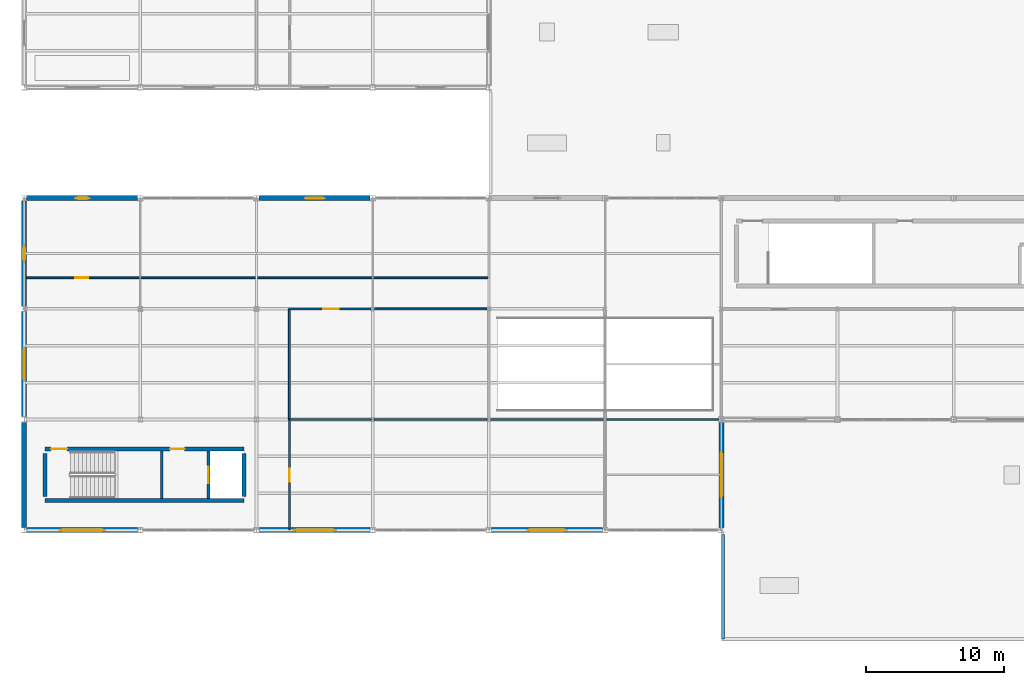
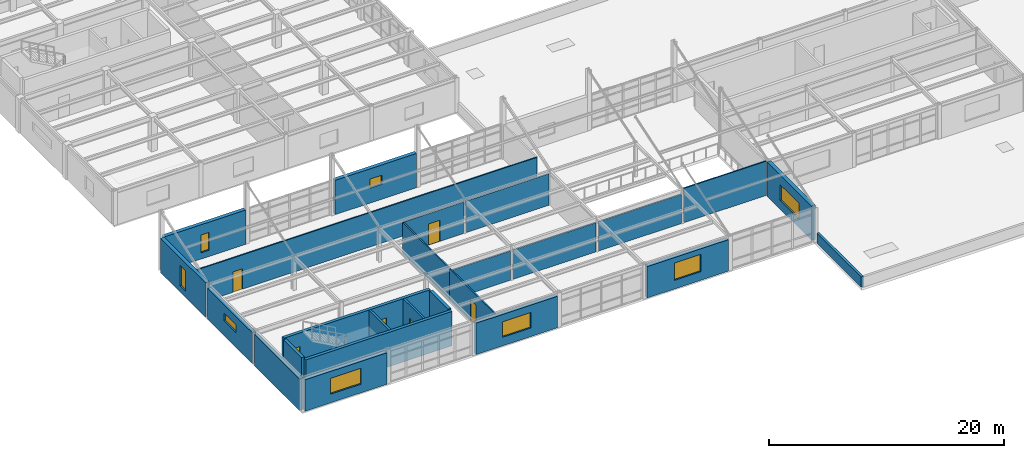
# One storey, part 45 of 96: 25 walls, 8 windows, 6 doors, 14 openings.
"""IFC4 building model written with IfcOpenShell, lengths in metres."""

from ifc_helpers import new_model, si_unit, direction, frame, frame_2d, origin, place, context, subcontext, project, spatial, rectangle, extrude, material, layer, layer_set, type_object, element, fill, save


model = new_model("IFC4")

# Units and contexts
model_context = context("Model", 3, precision=1e-05, world=origin(), true_north=direction((0.0, 1.0)))
body_context = subcontext(model_context, "Body", "Model", "MODEL_VIEW")
ifc_project = project(units=[si_unit("LENGTHUNIT", "METRE"), si_unit("AREAUNIT", "SQUARE_METRE"), si_unit("VOLUMEUNIT", "CUBIC_METRE"), si_unit("PLANEANGLEUNIT", "RADIAN"), si_unit("MASSUNIT", "GRAM", prefix="KILO")], contexts=[model_context])

# Site, building, storey
site_placement = place(None, origin())
site = spatial("IfcSite", under=ifc_project, at=site_placement, CompositionType="ELEMENT")
building_placement = place(site_placement, origin())
building = spatial("IfcBuilding", under=site, at=building_placement, Name="Kranzveld Transit Interchange", CompositionType="ELEMENT")
storey_placement = place(building_placement, frame((0.0, 0.0, 9.52001953125)))
storey = spatial("IfcBuildingStorey", under=building, at=storey_placement, Name="L02", CompositionType="ELEMENT", Elevation=9.52001953125)

# Wall, opening, door
ifc_material_1 = material(Name="Clay masonry unit wall, 20 MPa", Category="masonry")
ifc_layer_1 = layer(ifc_material_1, 0.139892578125)
ifc_layer_set_1 = layer_set([ifc_layer_1], Name="Clay masonry unit wall, 20 MPa")
wall_type_1 = type_object("IfcWallType", Name="Acoustic Stud Partition 140", PredefinedType="PARTITIONING", material=ifc_layer_set_1)
wall_1_placement = place(storey_placement, frame((19.179931640625, 32.0, 0.0), z_axis=(0.0, 0.0, 1.0), x_axis=(1.0, 0.0, 0.0)))
wall_1 = element("IfcWall", 1, at=wall_1_placement, inside=storey, type_object=wall_type_1, Name="L02 Partition IW-L02-L02V3M-N-202-0", PredefinedType="PARTITIONING", context=body_context, shape_type="SweptSolid", body=[
    extrude(rectangle(XDim=5.900634765625, YDim=0.139892578125, at=frame_2d((2.9501953125, 0.0))), origin(), (0.0, 0.0, 1.0), 3.27001953125),
])
opening_1_placement = place(wall_1_placement, frame((2.4501953125, 0.0, 0.0), z_axis=(0.0, 0.0, 1.0), x_axis=(1.0, 0.0, 0.0)))
opening_1 = element("IfcOpeningElement", 2, at=opening_1_placement, cuts=wall_1, Name="Opening D-202", PredefinedType="OPENING", context=body_context, shape_type="SweptSolid", body=[
    extrude(rectangle(XDim=1.10009765625, YDim=2.199951171875, at=frame_2d((0.550048828125, 1.10009765625))), frame((0.0, 0.079833984375, 0.0), z_axis=(0.0, -1.0, 0.0), x_axis=(1.0, 0.0, 0.0)), (0.0, 0.0, 1.0), 0.159912109375),
])
ifc_material_2 = material(Name="Bronze-anodised thermally broken aluminium", Category="aluminium")
door_type_1 = type_object("IfcDoorType", Name="Acoustic Seminar Door 1100x2200", OperationType="NOTDEFINED", PredefinedType="DOOR", material=ifc_material_2)
door_1_placement = place(opening_1_placement, origin())
door_1 = element("IfcDoor", 3, at=door_1_placement, inside=storey, type_object=door_type_1, Name="L02 Interior Door D-202", OperationType="SINGLE_SWING_LEFT", OverallHeight=2.199951171875, OverallWidth=1.10009765625, PredefinedType="DOOR", context=body_context, shape_type="SweptSolid", body=[
    extrude(rectangle(XDim=1.10009765625, YDim=2.199951171875, at=frame_2d((0.550048828125, 1.10009765625))), frame((0.0, 0.02490234375, 0.0), z_axis=(0.0, -1.0, 0.0), x_axis=(1.0, 0.0, 0.0)), (0.0, 0.0, 1.0), 0.050048828125),
])
fill(opening_1, door_1)

# Walls
wall_2_placement = place(storey_placement, frame((25.3193359375, 32.0, 0.0), z_axis=(0.0, 0.0, 1.0), x_axis=(1.0, 0.0, 0.0)))
element("IfcWall", 4, at=wall_2_placement, inside=storey, type_object=wall_type_1, Name="L02 Partition IW-L02-L02V3M-N-202-1", PredefinedType="PARTITIONING", context=body_context, shape_type="SweptSolid", body=[
    extrude(rectangle(XDim=8.161376953125, YDim=0.139892578125, at=frame_2d((4.08056640625, 0.0))), origin(), (0.0, 0.0, 1.0), 3.27001953125),
])
wall_3_placement = place(storey_placement, frame((19.179931640625, 24.0, 0.0), z_axis=(0.0, 0.0, 1.0), x_axis=(1.0, 0.0, 0.0)))
element("IfcWall", 5, at=wall_3_placement, inside=storey, type_object=wall_type_1, Name="L02 Partition IW-L02-L02V3M-S-202-0", PredefinedType="PARTITIONING", context=body_context, shape_type="SweptSolid", body=[
    extrude(rectangle(XDim=5.900634765625, YDim=0.139892578125, at=frame_2d((2.9501953125, 0.0))), origin(), (0.0, 0.0, 1.0), 3.036865234375),
])
wall_4_placement = place(storey_placement, frame((25.3193359375, 24.0, 0.0), z_axis=(0.0, 0.0, 1.0), x_axis=(1.0, 0.0, 0.0)))
element("IfcWall", 6, at=wall_4_placement, inside=storey, type_object=wall_type_1, Name="L02 Partition IW-L02-L02V3M-S-202-1", PredefinedType="PARTITIONING", context=body_context, shape_type="SweptSolid", body=[
    extrude(rectangle(XDim=8.161376953125, YDim=0.139892578125, at=frame_2d((4.08056640625, 0.0))), origin(), (0.0, 0.0, 1.0), 3.036865234375),
])
wall_5_placement = place(storey_placement, frame((19.179931640625, 24.0, 0.0), z_axis=(0.0, 0.0, 1.0), x_axis=(0.0, 1.0, 0.0)))
element("IfcWall", 7, at=wall_5_placement, inside=storey, type_object=wall_type_1, Name="L02 Partition IW-L02-L02V3M-W-202-0", PredefinedType="PARTITIONING", context=body_context, shape_type="SweptSolid", body=[
    extrude(rectangle(XDim=8.0, YDim=0.139892578125, at=frame_2d((4.0, 0.0))), origin(), (0.0, 0.0, 1.0), 3.218505859375),
])
ifc_material_3 = material(Name="Concrete C40/50", Category="concrete")
ifc_layer_2 = layer(ifc_material_3, 0.300048828125)
ifc_layer_set_2 = layer_set([ifc_layer_2], Name="Concrete C40/50")
wall_type_2 = type_object("IfcWallType", Name="Core Shear Wall RC 300 C40/50", PredefinedType="SHEAR", material=ifc_layer_set_2)
wall_6_placement = place(storey_placement, frame((1.5, 18.139892578125, 0.0), z_axis=(0.0, 0.0, 1.0), x_axis=(1.0, 0.0, 0.0)))
element("IfcWall", 8, at=wall_6_placement, inside=storey, type_object=wall_type_2, Name="L02 Cycle Hub Core C7 Shear Wall S", PredefinedType="SHEAR", context=body_context, shape_type="SweptSolid", body=[
    extrude(rectangle(XDim=14.39990234375, YDim=0.300048828125, at=frame_2d((7.199951171875, 0.0))), origin(), (0.0, 0.0, 1.0), 3.570068359375),
])

# Wall, openings, doors
wall_7_placement = place(storey_placement, frame((1.5, 21.860107421875, 0.0), z_axis=(0.0, 0.0, 1.0), x_axis=(1.0, 0.0, 0.0)))
wall_7 = element("IfcWall", 9, at=wall_7_placement, inside=storey, type_object=wall_type_2, Name="L02 Cycle Hub Core C7 Shear Wall N", PredefinedType="SHEAR", context=body_context, shape_type="SweptSolid", body=[
    extrude(rectangle(XDim=14.39990234375, YDim=0.300048828125, at=frame_2d((7.199951171875, 0.0))), origin(), (0.0, 0.0, 1.0), 3.570068359375),
])
opening_2_placement = place(wall_7_placement, frame((0.449951171875, 0.0, 0.0), z_axis=(0.0, 0.0, 1.0), x_axis=(1.0, 0.0, 0.0)))
opening_2 = element("IfcOpeningElement", 10, at=opening_2_placement, cuts=wall_7, Name="Opening D-ST-C7-L02", PredefinedType="OPENING", context=body_context, shape_type="SweptSolid", body=[
    extrude(rectangle(XDim=1.14990234375, YDim=2.14990234375, at=frame_2d((0.574951171875, 1.074951171875))), frame((0.0, 0.159912109375, 0.0), z_axis=(0.0, -1.0, 0.0), x_axis=(1.0, 0.0, 0.0)), (0.0, 0.0, 1.0), 0.320068359375),
])
opening_3_placement = place(wall_7_placement, frame((9.050048828125, 0.0, 0.0), z_axis=(0.0, 0.0, 1.0), x_axis=(1.0, 0.0, 0.0)))
opening_3 = element("IfcOpeningElement", 11, at=opening_3_placement, cuts=wall_7, Name="Opening D-LB-C7-L02", PredefinedType="OPENING", context=body_context, shape_type="SweptSolid", body=[
    extrude(rectangle(XDim=1.050048828125, YDim=2.14990234375, at=frame_2d((0.52490234375, 1.074951171875))), frame((0.0, 0.159912109375, 0.0), z_axis=(0.0, -1.0, 0.0), x_axis=(1.0, 0.0, 0.0)), (0.0, 0.0, 1.0), 0.320068359375),
])
ifc_material_4 = material(Name="Steel S355JR", Category="steel")
door_type_2 = type_object("IfcDoorType", Name="Lift Lobby Fire Door 1050x2150 FD120S", OperationType="NOTDEFINED", PredefinedType="DOOR", material=ifc_material_4)
door_2_placement = place(opening_3_placement, origin())
door_2 = element("IfcDoor", 12, at=door_2_placement, inside=storey, type_object=door_type_2, Name="L02 Cycle Hub Core C7 Lift Protected Lobby Door", OperationType="SINGLE_SWING_RIGHT", OverallHeight=2.14990234375, OverallWidth=1.050048828125, PredefinedType="DOOR", context=body_context, shape_type="SweptSolid", body=[
    extrude(rectangle(XDim=1.050048828125, YDim=2.14990234375, at=frame_2d((0.52490234375, 1.074951171875))), frame((0.0, 0.02490234375, 0.0), z_axis=(0.0, -1.0, 0.0), x_axis=(1.0, 0.0, 0.0)), (0.0, 0.0, 1.0), 0.050048828125),
])
fill(opening_3, door_2)
ifc_material_5 = material(Name="Steel S355JR", Category="steel")
door_type_3 = type_object("IfcDoorType", Name="Stair Core Fire Door 1150x2150 FD120S", OperationType="NOTDEFINED", PredefinedType="DOOR", material=ifc_material_5)
door_3_placement = place(opening_2_placement, origin())
door_3 = element("IfcDoor", 13, at=door_3_placement, inside=storey, type_object=door_type_3, Name="L02 ST-CY1 Protected Stair Door", OperationType="SINGLE_SWING_RIGHT", OverallHeight=2.14990234375, OverallWidth=1.14990234375, PredefinedType="DOOR", context=body_context, shape_type="SweptSolid", body=[
    extrude(rectangle(XDim=1.14990234375, YDim=2.14990234375, at=frame_2d((0.574951171875, 1.074951171875))), frame((0.0, 0.02490234375, 0.0), z_axis=(0.0, -1.0, 0.0), x_axis=(1.0, 0.0, 0.0)), (0.0, 0.0, 1.0), 0.050048828125),
])
fill(opening_2, door_3)

# Walls
for number, where, z_axis, x_axis, name in (
    (14, (1.5, 18.43994140625, 0.0), (0.0, 0.0, 1.0), (0.0, 1.0, 0.0), "L02 Cycle Hub Core C7 Shear Wall W"),
    (15, (15.89990234375, 18.43994140625, 0.0), (0.0, 0.0, 1.0), (0.0, 1.0, 0.0), "L02 Cycle Hub Core C7 Shear Wall E"),
):
    element("IfcWall", number, at=place(storey_placement, frame(where, z_axis=z_axis, x_axis=x_axis)), inside=storey, type_object=wall_type_2, Name=name, PredefinedType="SHEAR", context=body_context, shape_type="SweptSolid", body=[
        extrude(rectangle(XDim=3.1201171875, YDim=0.300048828125, at=frame_2d((1.56005859375, 0.0))), origin(), (0.0, 0.0, 1.0), 3.570068359375),
    ])
ifc_material_6 = material(Name="Pretoria red-purple clinker clay face brick, 35 MPa", Category="masonry")
ifc_layer_3 = layer(ifc_material_6, 0.360107421875)
ifc_layer_set_3 = layer_set([ifc_layer_3], Name="Pretoria red-purple clinker clay face brick, 35 MPa")
wall_type_3 = type_object("IfcWallType", Name="Exterior Cavity Wall Red Clinker 360", PredefinedType="SOLIDWALL", material=ifc_layer_set_3)
wall_8_placement = place(storey_placement, frame((0.0, 16.187255859375, 0.0), z_axis=(0.0, 0.0, 1.0), x_axis=(0.0, 1.0, 0.0)))
element("IfcWall", 16, at=wall_8_placement, inside=storey, type_object=wall_type_3, Name="L02 Clinker Facade Wall 01/C-01/D", PredefinedType="SOLIDWALL", context=body_context, shape_type="SweptSolid", body=[
    extrude(rectangle(XDim=7.62548828125, YDim=0.360107421875, at=frame_2d((3.812744140625, 0.0))), origin(), (0.0, 0.0, 1.0), 3.27001953125),
])

# Wall, opening, window
wall_9_placement = place(storey_placement, frame((0.0, 24.187255859375, 0.0), z_axis=(0.0, 0.0, 1.0), x_axis=(0.0, 1.0, 0.0)))
wall_9 = element("IfcWall", 17, at=wall_9_placement, inside=storey, type_object=wall_type_3, Name="L02 Clinker Facade Wall 01/D-01/E", PredefinedType="SOLIDWALL", context=body_context, shape_type="SweptSolid", body=[
    extrude(rectangle(XDim=7.62548828125, YDim=0.360107421875, at=frame_2d((3.812744140625, 0.0))), origin(), (0.0, 0.0, 1.0), 3.218505859375),
])
opening_4_placement = place(wall_9_placement, frame((2.7626953125, 0.0, 1.550048828125), z_axis=(0.0, 0.0, 1.0), x_axis=(1.0, 0.0, 0.0)))
opening_4 = element("IfcOpeningElement", 18, at=opening_4_placement, cuts=wall_9, Name="Opening W-16", PredefinedType="OPENING", context=body_context, shape_type="SweptSolid", body=[
    extrude(rectangle(XDim=2.10009765625, YDim=0.800048828125, at=frame_2d((1.050048828125, 0.39990234375))), frame((0.0, 0.18994140625, 0.0), z_axis=(0.0, -1.0, 0.0), x_axis=(1.0, 0.0, 0.0)), (0.0, 0.0, 1.0), 0.380126953125),
])
ifc_material_7 = material(Name="Solar-control double glazing", Category="glass")
window_type_1 = type_object("IfcWindowType", Name="Window Clerestory 2100x800", PartitioningType="DOUBLE_PANEL_HORIZONTAL", PredefinedType="WINDOW", material=ifc_material_7)
window_1_placement = place(opening_4_placement, origin())
window_1 = element("IfcWindow", 19, at=window_1_placement, inside=storey, type_object=window_type_1, Name="L02 Facade Window 01/D", OverallHeight=0.800048828125, OverallWidth=2.10009765625, PartitioningType="DOUBLE_PANEL_HORIZONTAL", PredefinedType="WINDOW", context=body_context, shape_type="SweptSolid", body=[
    extrude(rectangle(XDim=2.10009765625, YDim=0.800048828125, at=frame_2d((1.050048828125, 0.39990234375))), frame((0.0, 0.030029296875, 0.0), z_axis=(0.0, -1.0, 0.0), x_axis=(1.0, 0.0, 0.0)), (0.0, 0.0, 1.0), 0.06005859375),
])
fill(opening_4, window_1)

wall_10_placement = place(storey_placement, frame((0.0, 32.187255859375, 0.0), z_axis=(0.0, 0.0, 1.0), x_axis=(0.0, 1.0, 0.0)))
wall_10 = element("IfcWall", 20, at=wall_10_placement, inside=storey, type_object=wall_type_3, Name="L02 Clinker Facade Wall 01/E-01/F", PredefinedType="SOLIDWALL", context=body_context, shape_type="SweptSolid", body=[
    extrude(rectangle(XDim=7.62548828125, YDim=0.360107421875, at=frame_2d((3.812744140625, 0.0))), origin(), (0.0, 0.0, 1.0), 3.570068359375),
])
opening_5_placement = place(wall_10_placement, frame((3.337646484375, 0.0, 0.64990234375), z_axis=(0.0, 0.0, 1.0), x_axis=(1.0, 0.0, 0.0)))
opening_5 = element("IfcOpeningElement", 21, at=opening_5_placement, cuts=wall_10, Name="Opening W-17", PredefinedType="OPENING", context=body_context, shape_type="SweptSolid", body=[
    extrude(rectangle(XDim=0.949951171875, YDim=2.10009765625, at=frame_2d((0.47509765625, 1.050048828125))), frame((0.0, 0.18994140625, 0.0), z_axis=(0.0, -1.0, 0.0), x_axis=(1.0, 0.0, 0.0)), (0.0, 0.0, 1.0), 0.380126953125),
])
ifc_material_8 = material(Name="Solar-control double glazing", Category="glass")
window_type_2 = type_object("IfcWindowType", Name="Window Ladder Slot 950x2100", PartitioningType="SINGLE_PANEL", PredefinedType="WINDOW", material=ifc_material_8)
window_2_placement = place(opening_5_placement, origin())
window_2 = element("IfcWindow", 22, at=window_2_placement, inside=storey, type_object=window_type_2, Name="L02 Facade Window 01/E", OverallHeight=2.10009765625, OverallWidth=0.949951171875, PartitioningType="SINGLE_PANEL", PredefinedType="WINDOW", context=body_context, shape_type="SweptSolid", body=[
    extrude(rectangle(XDim=0.949951171875, YDim=2.10009765625, at=frame_2d((0.47509765625, 1.050048828125))), frame((0.0, 0.030029296875, 0.0), z_axis=(0.0, -1.0, 0.0), x_axis=(1.0, 0.0, 0.0)), (0.0, 0.0, 1.0), 0.06005859375),
])
fill(opening_5, window_2)

wall_11_placement = place(storey_placement, frame((0.187255859375, 40.0, 0.0), z_axis=(0.0, 0.0, 1.0), x_axis=(1.0, 0.0, 0.0)))
wall_11 = element("IfcWall", 23, at=wall_11_placement, inside=storey, type_object=wall_type_3, Name="L02 Clinker Facade Wall 01/F-02/F", PredefinedType="SOLIDWALL", context=body_context, shape_type="SweptSolid", body=[
    extrude(rectangle(XDim=8.025390625, YDim=0.360107421875, at=frame_2d((4.0126953125, 0.0))), origin(), (0.0, 0.0, 1.0), 3.570068359375),
])
opening_6_placement = place(wall_11_placement, frame((3.61279296875, 0.0, 0.64990234375), z_axis=(0.0, 0.0, 1.0), x_axis=(1.0, 0.0, 0.0)))
opening_6 = element("IfcOpeningElement", 24, at=opening_6_placement, cuts=wall_11, Name="Opening W-18", PredefinedType="OPENING", context=body_context, shape_type="SweptSolid", body=[
    extrude(rectangle(XDim=0.800048828125, YDim=1.85009765625, at=frame_2d((0.39990234375, 0.925048828125))), frame((0.0, 0.18994140625, 0.0), z_axis=(0.0, -1.0, 0.0), x_axis=(1.0, 0.0, 0.0)), (0.0, 0.0, 1.0), 0.380126953125),
])
ifc_material_9 = material(Name="Solar-control double glazing", Category="glass")
window_type_3 = type_object("IfcWindowType", Name="Window Ladder Slot 800x1850", PartitioningType="SINGLE_PANEL", PredefinedType="WINDOW", material=ifc_material_9)
window_3_placement = place(opening_6_placement, origin())
window_3 = element("IfcWindow", 25, at=window_3_placement, inside=storey, type_object=window_type_3, Name="L02 Facade Window 01/F", OverallHeight=1.85009765625, OverallWidth=0.800048828125, PartitioningType="SINGLE_PANEL", PredefinedType="WINDOW", context=body_context, shape_type="SweptSolid", body=[
    extrude(rectangle(XDim=0.800048828125, YDim=1.85009765625, at=frame_2d((0.39990234375, 0.925048828125))), frame((0.0, 0.030029296875, 0.0), z_axis=(0.0, -1.0, 0.0), x_axis=(1.0, 0.0, 0.0)), (0.0, 0.0, 1.0), 0.06005859375),
])
fill(opening_6, window_3)

wall_12_placement = place(storey_placement, frame((16.9873046875, 40.0, 0.0), z_axis=(0.0, 0.0, 1.0), x_axis=(1.0, 0.0, 0.0)))
wall_12 = element("IfcWall", 26, at=wall_12_placement, inside=storey, type_object=wall_type_3, Name="L02 Clinker Facade Wall 03/F-04/F", PredefinedType="SOLIDWALL", context=body_context, shape_type="SweptSolid", body=[
    extrude(rectangle(XDim=8.025390625, YDim=0.360107421875, at=frame_2d((4.0126953125, 0.0))), origin(), (0.0, 0.0, 1.0), 3.570068359375),
])
opening_7_placement = place(wall_12_placement, frame((3.41259765625, 0.0, 1.550048828125), z_axis=(0.0, 0.0, 1.0), x_axis=(1.0, 0.0, 0.0)))
opening_7 = element("IfcOpeningElement", 27, at=opening_7_placement, cuts=wall_12, Name="Opening W-19", PredefinedType="OPENING", context=body_context, shape_type="SweptSolid", body=[
    extrude(rectangle(XDim=1.199951171875, YDim=0.949951171875, at=frame_2d((0.60009765625, 0.47509765625))), frame((0.0, 0.18994140625, 0.0), z_axis=(0.0, -1.0, 0.0), x_axis=(1.0, 0.0, 0.0)), (0.0, 0.0, 1.0), 0.380126953125),
])
ifc_material_10 = material(Name="Solar-control double glazing", Category="glass")
window_type_4 = type_object("IfcWindowType", Name="Window Sanitary Frosted 1200x950", PartitioningType="SINGLE_PANEL", PredefinedType="WINDOW", material=ifc_material_10)
window_4_placement = place(opening_7_placement, origin())
window_4 = element("IfcWindow", 28, at=window_4_placement, inside=storey, type_object=window_type_4, Name="L02 Facade Window 03/F", OverallHeight=0.949951171875, OverallWidth=1.199951171875, PartitioningType="SINGLE_PANEL", PredefinedType="WINDOW", context=body_context, shape_type="SweptSolid", body=[
    extrude(rectangle(XDim=1.199951171875, YDim=0.949951171875, at=frame_2d((0.60009765625, 0.47509765625))), frame((0.0, 0.030029296875, 0.0), z_axis=(0.0, -1.0, 0.0), x_axis=(1.0, 0.0, 0.0)), (0.0, 0.0, 1.0), 0.06005859375),
])
fill(opening_7, window_4)

wall_13_placement = place(storey_placement, frame((50.39990234375, 16.187255859375, 0.0), z_axis=(0.0, 0.0, 1.0), x_axis=(0.0, 1.0, 0.0)))
wall_13 = element("IfcWall", 29, at=wall_13_placement, inside=storey, type_object=wall_type_3, Name="L02 Clinker Facade Wall 07/C-07/D", PredefinedType="SOLIDWALL", context=body_context, shape_type="SweptSolid", body=[
    extrude(rectangle(XDim=7.62548828125, YDim=0.360107421875, at=frame_2d((3.812744140625, 0.0))), origin(), (0.0, 0.0, 1.0), 3.570068359375),
])
opening_8_placement = place(wall_13_placement, frame((2.212646484375, 0.0, 0.89990234375), z_axis=(0.0, 0.0, 1.0), x_axis=(1.0, 0.0, 0.0)))
opening_8 = element("IfcOpeningElement", 30, at=opening_8_placement, cuts=wall_13, Name="Opening W-03", PredefinedType="OPENING", context=body_context, shape_type="SweptSolid", body=[
    extrude(rectangle(XDim=3.199951171875, YDim=1.64990234375, at=frame_2d((1.60009765625, 0.824951171875))), frame((0.0, 0.18994140625, 0.0), z_axis=(0.0, -1.0, 0.0), x_axis=(1.0, 0.0, 0.0)), (0.0, 0.0, 1.0), 0.380126953125),
])
ifc_material_11 = material(Name="Solar-control double glazing", Category="glass")
window_type_5 = type_object("IfcWindowType", Name="Window Ribbon Triple 3200x1650", PartitioningType="TRIPLE_PANEL_VERTICAL", PredefinedType="WINDOW", material=ifc_material_11)
window_5_placement = place(opening_8_placement, origin())
window_5 = element("IfcWindow", 31, at=window_5_placement, inside=storey, type_object=window_type_5, Name="L02 Facade Window 07/C", OverallHeight=1.64990234375, OverallWidth=3.199951171875, PartitioningType="TRIPLE_PANEL_VERTICAL", PredefinedType="WINDOW", context=body_context, shape_type="SweptSolid", body=[
    extrude(rectangle(XDim=3.199951171875, YDim=1.64990234375, at=frame_2d((1.60009765625, 0.824951171875))), frame((0.0, 0.030029296875, 0.0), z_axis=(0.0, -1.0, 0.0), x_axis=(1.0, 0.0, 0.0)), (0.0, 0.0, 1.0), 0.06005859375),
])
fill(opening_8, window_5)

wall_14_placement = place(storey_placement, frame((0.187255859375, 16.0, 0.0), z_axis=(0.0, 0.0, 1.0), x_axis=(1.0, 0.0, 0.0)))
wall_14 = element("IfcWall", 32, at=wall_14_placement, inside=storey, type_object=wall_type_3, Name="L02 Clinker Facade Wall 01/C-02/C", PredefinedType="SOLIDWALL", context=body_context, shape_type="SweptSolid", body=[
    extrude(rectangle(XDim=8.025390625, YDim=0.360107421875, at=frame_2d((4.0126953125, 0.0))), origin(), (0.0, 0.0, 1.0), 3.27001953125),
])
opening_9_placement = place(wall_14_placement, frame((2.5126953125, 0.0, 0.89990234375), z_axis=(0.0, 0.0, 1.0), x_axis=(1.0, 0.0, 0.0)))
opening_9 = element("IfcOpeningElement", 33, at=opening_9_placement, cuts=wall_14, Name="Opening W-04", PredefinedType="OPENING", context=body_context, shape_type="SweptSolid", body=[
    extrude(rectangle(XDim=3.0, YDim=1.64990234375, at=frame_2d((1.5, 0.824951171875))), frame((0.0, 0.18994140625, 0.0), z_axis=(0.0, -1.0, 0.0), x_axis=(1.0, 0.0, 0.0)), (0.0, 0.0, 1.0), 0.380126953125),
])
ifc_material_12 = material(Name="Solar-control double glazing", Category="glass")
window_type_6 = type_object("IfcWindowType", Name="Window Ribbon Double 3000x1650", PartitioningType="DOUBLE_PANEL_VERTICAL", PredefinedType="WINDOW", material=ifc_material_12)
window_6_placement = place(opening_9_placement, origin())
window_6 = element("IfcWindow", 34, at=window_6_placement, inside=storey, type_object=window_type_6, Name="L02 Facade Window 01/C", OverallHeight=1.64990234375, OverallWidth=3.0, PartitioningType="DOUBLE_PANEL_VERTICAL", PredefinedType="WINDOW", context=body_context, shape_type="SweptSolid", body=[
    extrude(rectangle(XDim=3.0, YDim=1.64990234375, at=frame_2d((1.5, 0.824951171875))), frame((0.0, 0.030029296875, 0.0), z_axis=(0.0, -1.0, 0.0), x_axis=(1.0, 0.0, 0.0)), (0.0, 0.0, 1.0), 0.06005859375),
])
fill(opening_9, window_6)

wall_15_placement = place(storey_placement, frame((16.9873046875, 16.0, 0.0), z_axis=(0.0, 0.0, 1.0), x_axis=(1.0, 0.0, 0.0)))
wall_15 = element("IfcWall", 35, at=wall_15_placement, inside=storey, type_object=wall_type_3, Name="L02 Clinker Facade Wall 03/C-04/C", PredefinedType="SOLIDWALL", context=body_context, shape_type="SweptSolid", body=[
    extrude(rectangle(XDim=8.025390625, YDim=0.360107421875, at=frame_2d((4.0126953125, 0.0))), origin(), (0.0, 0.0, 1.0), 3.27001953125),
])
opening_10_placement = place(wall_15_placement, frame((2.61279296875, 0.0, 0.89990234375), z_axis=(0.0, 0.0, 1.0), x_axis=(1.0, 0.0, 0.0)))
opening_10 = element("IfcOpeningElement", 36, at=opening_10_placement, cuts=wall_15, Name="Opening W-05", PredefinedType="OPENING", context=body_context, shape_type="SweptSolid", body=[
    extrude(rectangle(XDim=2.800048828125, YDim=1.60009765625, at=frame_2d((1.39990234375, 0.800048828125))), frame((0.0, 0.18994140625, 0.0), z_axis=(0.0, -1.0, 0.0), x_axis=(1.0, 0.0, 0.0)), (0.0, 0.0, 1.0), 0.380126953125),
])
ifc_material_13 = material(Name="Solar-control double glazing", Category="glass")
window_type_7 = type_object("IfcWindowType", Name="Window Ribbon Double 2800x1600", PartitioningType="DOUBLE_PANEL_VERTICAL", PredefinedType="WINDOW", material=ifc_material_13)
window_7_placement = place(opening_10_placement, origin())
window_7 = element("IfcWindow", 37, at=window_7_placement, inside=storey, type_object=window_type_7, Name="L02 Facade Window 03/C", OverallHeight=1.60009765625, OverallWidth=2.800048828125, PartitioningType="DOUBLE_PANEL_VERTICAL", PredefinedType="WINDOW", context=body_context, shape_type="SweptSolid", body=[
    extrude(rectangle(XDim=2.800048828125, YDim=1.60009765625, at=frame_2d((1.39990234375, 0.800048828125))), frame((0.0, 0.030029296875, 0.0), z_axis=(0.0, -1.0, 0.0), x_axis=(1.0, 0.0, 0.0)), (0.0, 0.0, 1.0), 0.06005859375),
])
fill(opening_10, window_7)

wall_16_placement = place(storey_placement, frame((33.787353515625, 16.0, 0.0), z_axis=(0.0, 0.0, 1.0), x_axis=(1.0, 0.0, 0.0)))
wall_16 = element("IfcWall", 38, at=wall_16_placement, inside=storey, type_object=wall_type_3, Name="L02 Clinker Facade Wall 05/C-06/C", PredefinedType="SOLIDWALL", context=body_context, shape_type="SweptSolid", body=[
    extrude(rectangle(XDim=8.025390625, YDim=0.360107421875, at=frame_2d((4.0126953125, 0.0))), origin(), (0.0, 0.0, 1.0), 3.27001953125),
])
opening_11_placement = place(wall_16_placement, frame((2.712646484375, 0.0, 0.89990234375), z_axis=(0.0, 0.0, 1.0), x_axis=(1.0, 0.0, 0.0)))
opening_11 = element("IfcOpeningElement", 39, at=opening_11_placement, cuts=wall_16, Name="Opening W-06", PredefinedType="OPENING", context=body_context, shape_type="SweptSolid", body=[
    extrude(rectangle(XDim=2.60009765625, YDim=1.800048828125, at=frame_2d((1.300048828125, 0.89990234375))), frame((0.0, 0.18994140625, 0.0), z_axis=(0.0, -1.0, 0.0), x_axis=(1.0, 0.0, 0.0)), (0.0, 0.0, 1.0), 0.380126953125),
])
ifc_material_14 = material(Name="Solar-control double glazing", Category="glass")
window_type_8 = type_object("IfcWindowType", Name="Window Civic Double 2600x1800", PartitioningType="DOUBLE_PANEL_VERTICAL", PredefinedType="WINDOW", material=ifc_material_14)
window_8_placement = place(opening_11_placement, origin())
window_8 = element("IfcWindow", 40, at=window_8_placement, inside=storey, type_object=window_type_8, Name="L02 Facade Window 05/C", OverallHeight=1.800048828125, OverallWidth=2.60009765625, PartitioningType="DOUBLE_PANEL_VERTICAL", PredefinedType="WINDOW", context=body_context, shape_type="SweptSolid", body=[
    extrude(rectangle(XDim=2.60009765625, YDim=1.800048828125, at=frame_2d((1.300048828125, 0.89990234375))), frame((0.0, 0.030029296875, 0.0), z_axis=(0.0, -1.0, 0.0), x_axis=(1.0, 0.0, 0.0)), (0.0, 0.0, 1.0), 0.06005859375),
])
fill(opening_11, window_8)

# Wall, opening, door
ifc_material_15 = material(Name="Clay masonry unit wall, 20 MPa", Category="masonry")
ifc_layer_4 = layer(ifc_material_15, 0.125)
ifc_layer_set_4 = layer_set([ifc_layer_4], Name="Clay masonry unit wall, 20 MPa")
wall_type_4 = type_object("IfcWallType", Name="Internal Blockwork Partition 125", PredefinedType="PARTITIONING", material=ifc_layer_set_4)
wall_17_placement = place(storey_placement, frame((0.0400390625, 34.25, 0.0), z_axis=(0.0, 0.0, 1.0), x_axis=(1.0, 0.0, 0.0)))
wall_17 = element("IfcWall", 41, at=wall_17_placement, inside=storey, type_object=wall_type_4, Name="L02 Partition IW-L02-L02V3N-FRT-201-0", PredefinedType="PARTITIONING", context=body_context, shape_type="SweptSolid", body=[
    extrude(rectangle(XDim=33.56005859375, YDim=0.125, at=frame_2d((16.780029296875, 0.0))), origin(), (0.0, 0.0, 1.0), 3.570068359375),
])
opening_12_placement = place(wall_17_placement, frame((3.659912109375, 0.0, 0.0), z_axis=(0.0, 0.0, 1.0), x_axis=(1.0, 0.0, 0.0)))
opening_12 = element("IfcOpeningElement", 42, at=opening_12_placement, cuts=wall_17, Name="Opening D-201", PredefinedType="OPENING", context=body_context, shape_type="SweptSolid", body=[
    extrude(rectangle(XDim=0.919921875, YDim=2.1201171875, at=frame_2d((0.4599609375, 1.06005859375))), frame((0.0, 0.072509765625, 0.0), z_axis=(0.0, -1.0, 0.0), x_axis=(1.0, 0.0, 0.0)), (0.0, 0.0, 1.0), 0.14501953125),
])
ifc_material_16 = material(Name="Bronze-anodised thermally broken aluminium", Category="aluminium")
door_type_4 = type_object("IfcDoorType", Name="Consulting Room Door 920x2120", OperationType="NOTDEFINED", PredefinedType="DOOR", material=ifc_material_16)
door_4_placement = place(opening_12_placement, origin())
door_4 = element("IfcDoor", 43, at=door_4_placement, inside=storey, type_object=door_type_4, Name="L02 Interior Door D-201", OperationType="SINGLE_SWING_LEFT", OverallHeight=2.1201171875, OverallWidth=0.919921875, PredefinedType="DOOR", context=body_context, shape_type="SweptSolid", body=[
    extrude(rectangle(XDim=0.919921875, YDim=2.1201171875, at=frame_2d((0.4599609375, 1.06005859375))), frame((0.0, 0.02490234375, 0.0), z_axis=(0.0, -1.0, 0.0), x_axis=(1.0, 0.0, 0.0)), (0.0, 0.0, 1.0), 0.050048828125),
])
fill(opening_12, door_4)

wall_18_placement = place(storey_placement, frame((19.179931640625, 16.0400390625, 0.0), z_axis=(0.0, 0.0, 1.0), x_axis=(0.0, 1.0, 0.0)))
wall_18 = element("IfcWall", 44, at=wall_18_placement, inside=storey, type_object=wall_type_4, Name="L02 Partition IW-L02-L02V3S-W-203-0", PredefinedType="PARTITIONING", context=body_context, shape_type="SweptSolid", body=[
    extrude(rectangle(XDim=7.9599609375, YDim=0.125, at=frame_2d((3.97998046875, 0.0))), origin(), (0.0, 0.0, 1.0), 3.218505859375),
])
opening_13_placement = place(wall_18_placement, frame((3.4599609375, 0.0, 0.0), z_axis=(0.0, 0.0, 1.0), x_axis=(1.0, 0.0, 0.0)))
opening_13 = element("IfcOpeningElement", 45, at=opening_13_placement, cuts=wall_18, Name="Opening D-203", PredefinedType="OPENING", context=body_context, shape_type="SweptSolid", body=[
    extrude(rectangle(XDim=0.949951171875, YDim=2.14990234375, at=frame_2d((0.47509765625, 1.074951171875))), frame((0.0, 0.072509765625, 0.0), z_axis=(0.0, -1.0, 0.0), x_axis=(1.0, 0.0, 0.0)), (0.0, 0.0, 1.0), 0.14501953125),
])
ifc_material_17 = material(Name="Bronze-anodised thermally broken aluminium", Category="aluminium")
door_type_5 = type_object("IfcDoorType", Name="Internal Office Door 950x2150", OperationType="NOTDEFINED", PredefinedType="DOOR", material=ifc_material_17)
door_5_placement = place(opening_13_placement, origin())
door_5 = element("IfcDoor", 46, at=door_5_placement, inside=storey, type_object=door_type_5, Name="L02 Interior Door D-203", OperationType="SINGLE_SWING_RIGHT", OverallHeight=2.14990234375, OverallWidth=0.949951171875, PredefinedType="DOOR", context=body_context, shape_type="SweptSolid", body=[
    extrude(rectangle(XDim=0.949951171875, YDim=2.14990234375, at=frame_2d((0.47509765625, 1.074951171875))), frame((0.0, 0.02490234375, 0.0), z_axis=(0.0, -1.0, 0.0), x_axis=(1.0, 0.0, 0.0)), (0.0, 0.0, 1.0), 0.050048828125),
])
fill(opening_13, door_5)

# Walls
wall_19_placement = place(storey_placement, frame((33.719482421875, 24.0, 0.0), z_axis=(0.0, 0.0, 1.0), x_axis=(1.0, 0.0, 0.0)))
element("IfcWall", 47, at=wall_19_placement, inside=storey, type_object=wall_type_4, Name="L02 Partition IW-L02-L02V3S-N-203-0", PredefinedType="PARTITIONING", context=body_context, shape_type="SweptSolid", body=[
    extrude(rectangle(XDim=8.1611328125, YDim=0.125, at=frame_2d((4.08056640625, 0.0))), origin(), (0.0, 0.0, 1.0), 3.036865234375),
])
wall_20_placement = place(storey_placement, frame((42.119384765625, 24.0, 0.0), z_axis=(0.0, 0.0, 1.0), x_axis=(1.0, 0.0, 0.0)))
element("IfcWall", 48, at=wall_20_placement, inside=storey, type_object=wall_type_4, Name="L02 Partition IW-L02-L02V3S-N-203-1", PredefinedType="PARTITIONING", context=body_context, shape_type="SweptSolid", body=[
    extrude(rectangle(XDim=8.103271484375, YDim=0.125, at=frame_2d((4.0517578125, 0.0))), origin(), (0.0, 0.0, 1.0), 3.570068359375),
])
ifc_material_18 = material(Name="Concrete C40/50", Category="concrete")
ifc_layer_5 = layer(ifc_material_18, 0.199951171875)
ifc_layer_set_5 = layer_set([ifc_layer_5], Name="Concrete C40/50")
wall_type_5 = type_object("IfcWallType", Name="Lift Shaft Enclosure Wall RC 200 EI120", PredefinedType="SHEAR", material=ifc_layer_set_5)
wall_21_placement = place(storey_placement, frame((9.949951171875, 18.2900390625, 0.0), z_axis=(0.0, 0.0, 1.0), x_axis=(0.0, 1.0, 0.0)))
element("IfcWall", 49, at=wall_21_placement, inside=storey, type_object=wall_type_5, Name="L02 Cycle Hub Core C7 Stair-Lobby Dividing Wall", PredefinedType="SHEAR", context=body_context, shape_type="SweptSolid", body=[
    extrude(rectangle(XDim=3.419921875, YDim=0.199951171875, at=frame_2d((1.7099609375, 0.0))), origin(), (0.0, 0.0, 1.0), 3.570068359375),
])

# Wall, opening, door
wall_22_placement = place(storey_placement, frame((13.324951171875, 18.2900390625, 0.0), z_axis=(0.0, 0.0, 1.0), x_axis=(0.0, 1.0, 0.0)))
wall_22 = element("IfcWall", 50, at=wall_22_placement, inside=storey, type_object=wall_type_5, Name="L02 LF-CY1 Shaft Front Wall", PredefinedType="SHEAR", context=body_context, shape_type="SweptSolid", body=[
    extrude(rectangle(XDim=3.419921875, YDim=0.199951171875, at=frame_2d((1.7099609375, 0.0))), origin(), (0.0, 0.0, 1.0), 3.570068359375),
])
opening_14_placement = place(wall_22_placement, frame((1.110107421875, 0.0, 0.0), z_axis=(0.0, 0.0, 1.0), x_axis=(1.0, 0.0, 0.0)))
opening_14 = element("IfcOpeningElement", 51, at=opening_14_placement, cuts=wall_22, Name="Opening LD-LF-CY1-L02", PredefinedType="OPENING", context=body_context, shape_type="SweptSolid", body=[
    extrude(rectangle(XDim=1.199951171875, YDim=2.199951171875, at=frame_2d((0.60009765625, 1.10009765625))), frame((0.0, 0.10986328125, 0.0), z_axis=(0.0, -1.0, 0.0), x_axis=(1.0, 0.0, 0.0)), (0.0, 0.0, 1.0), 0.219970703125),
])
ifc_material_19 = material(Name="Steel S355JR", Category="steel")
door_type_6 = type_object("IfcDoorType", Name="Cycle Lift Sliding Door 1200x2200 FD120S", OperationType="NOTDEFINED", PredefinedType="DOOR", material=ifc_material_19)
door_6_placement = place(opening_14_placement, origin())
door_6 = element("IfcDoor", 52, at=door_6_placement, inside=storey, type_object=door_type_6, Name="L02 LF-CY1 Sliding Landing Door", OperationType="DOUBLE_DOOR_SLIDING", OverallHeight=2.199951171875, OverallWidth=1.199951171875, PredefinedType="DOOR", context=body_context, shape_type="SweptSolid", body=[
    extrude(rectangle(XDim=1.199951171875, YDim=2.199951171875, at=frame_2d((0.60009765625, 1.10009765625))), frame((0.0, 0.02490234375, 0.0), z_axis=(0.0, -1.0, 0.0), x_axis=(1.0, 0.0, 0.0)), (0.0, 0.0, 1.0), 0.050048828125),
])
fill(opening_14, door_6)

# Wall
ifc_material_20 = material(Name="Pretoria red-purple clinker clay face brick, 35 MPa", Category="masonry")
ifc_layer_6 = layer(ifc_material_20, 0.22998046875)
ifc_layer_set_6 = layer_set([ifc_layer_6], Name="Pretoria red-purple clinker clay face brick, 35 MPa")
wall_type_6 = type_object("IfcWallType", Name="Roof Parapet Wall Clinker Brick 230", PredefinedType="PARAPET", material=ifc_layer_set_6)
wall_23_placement = place(storey_placement, frame((50.52001953125, 8.1201171875, 0.0), z_axis=(0.0, 0.0, 1.0), x_axis=(0.0, 1.0, 0.0)))
element("IfcWall", 53, at=wall_23_placement, inside=storey, type_object=wall_type_6, Name="L02 Roof Parapet 018", PredefinedType="PARAPET", context=body_context, shape_type="SweptSolid", body=[
    extrude(rectangle(XDim=7.551513671875, YDim=0.22998046875, at=frame_2d((3.77587890625, 0.0))), origin(), (0.0, 0.0, 1.0), 1.050048828125),
])

save(model, "model.ifc")
